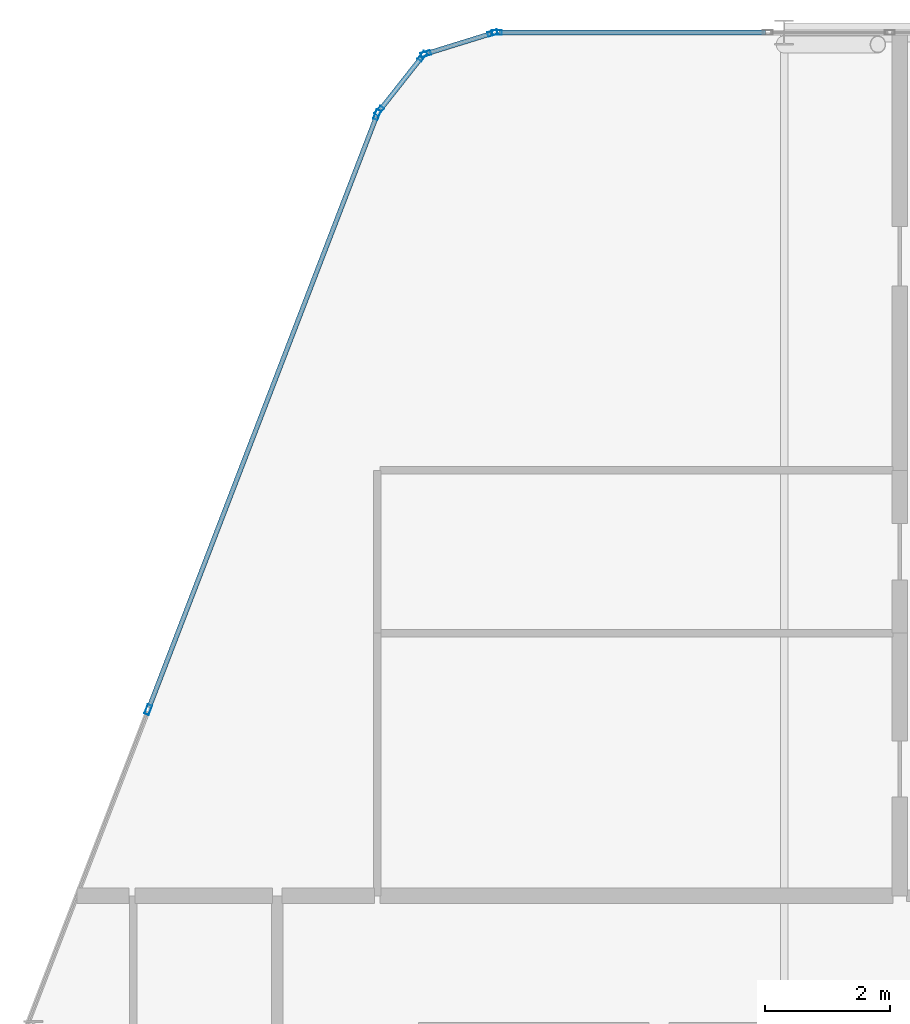
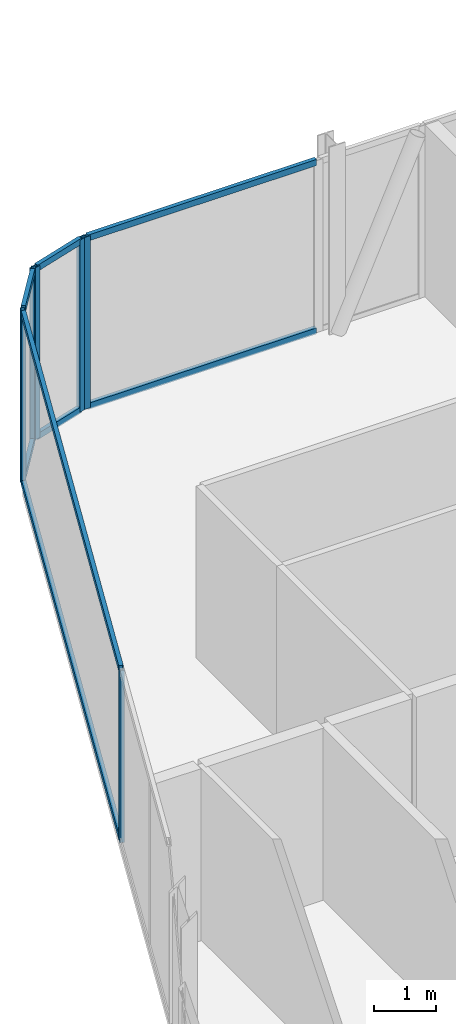
# One storey, part 15 of 27: 15 members, 4 elements without a shape of their own.
"""IFC4 building model written with IfcOpenShell, lengths in metres."""

from ifc_helpers import new_model, si_unit, direction, frame, origin, origin_2d, place, context, subcontext, project, spatial, hollow_rectangle, extrude, material, layer, layer_set, material_profile, profile_set, type_object, element, aggregate, save


model = new_model("IFC4")

# Units and contexts
model_context = context("Model", 3, precision=1e-05, world=origin(), true_north=direction((0.0, 1.0)))
body_context = subcontext(model_context, "Body", "Model", "MODEL_VIEW")
ifc_project = project(units=[si_unit("LENGTHUNIT", "METRE"), si_unit("AREAUNIT", "SQUARE_METRE"), si_unit("VOLUMEUNIT", "CUBIC_METRE"), si_unit("PLANEANGLEUNIT", "RADIAN"), si_unit("MASSUNIT", "GRAM", prefix="KILO")], contexts=[model_context])

# Site, building, storey
site_placement = place(None, origin())
site = spatial("IfcSite", under=ifc_project, at=site_placement, CompositionType="ELEMENT")
building_placement = place(site_placement, origin())
building = spatial("IfcBuilding", under=site, at=building_placement, Name="Keshet Zoharim Tower", CompositionType="ELEMENT")
storey_placement = place(building_placement, frame((0.0, 0.0, 247.300048828125)))
storey = spatial("IfcBuildingStorey", under=building, at=storey_placement, Name="L61", CompositionType="ELEMENT", Elevation=247.300048828125)

# Curtain wall, members
ifc_material = material(Name="Aluminium 6063-T6", Category="aluminium")
ifc_layer = layer(ifc_material, 0.260009765625)
ifc_layer_set = layer_set([ifc_layer], Name="Aluminium 6063-T6")
curtain_wall_type = type_object("IfcCurtainWallType", Name="CW-SYS-06", PredefinedType="NOTDEFINED", material=ifc_layer_set)
curtain_wall_1_placement = place(storey_placement, origin())
curtain_wall_1 = element("IfcCurtainWall", 1, at=curtain_wall_1_placement, inside=storey, type_object=curtain_wall_type, Name="L61 Unitised Curtain Wall 03", PredefinedType="NOTDEFINED")
ifc_material_profile_1 = material_profile(ifc_material, hollow_rectangle(XDim=0.074951171875, YDim=0.159912109375, WallThickness=0.00390625, at=origin_2d()), Name="MUL-75x160")
ifc_profile_set_1 = profile_set([ifc_material_profile_1], Name="Aluminium 6063-T6")
member_type_1 = type_object("IfcMemberType", Name="CWM-M15", PredefinedType="MULLION", material=ifc_profile_set_1)
member_1_placement = place(storey_placement, frame((10.8369140625, 43.076416015625, 0.0), z_axis=(0.0, 0.0, 1.0), x_axis=(-0.933341404361, 0.358990003907, 0.0)))
member_1 = element("IfcMember", 2, at=member_1_placement, type_object=member_type_1, Name="CW-06 mullion 3", PredefinedType="MULLION", context=body_context, shape_type="SweptSolid", body=[
    extrude(hollow_rectangle(XDim=0.074951171875, YDim=0.159912109375, WallThickness=0.00390625, at=origin_2d()), origin(), (0.0, 0.0, 1.0), 3.389892578125),
])
member_2_placement = place(storey_placement, frame((14.494384765625, 52.58544921875, 0.0), z_axis=(0.0, 0.0, 1.0), x_axis=(-0.933341404361, 0.358990003907, 0.0)))
member_2 = element("IfcMember", 3, at=member_2_placement, type_object=member_type_1, Name="CW-06 mullion 4", PredefinedType="MULLION", context=body_context, shape_type="SweptSolid", body=[
    extrude(hollow_rectangle(XDim=0.074951171875, YDim=0.159912109375, WallThickness=0.00390625, at=origin_2d()), origin(), (0.0, 0.0, 1.0), 3.389892578125),
])

curtain_wall_2_placement = place(storey_placement, origin())
curtain_wall_2 = element("IfcCurtainWall", 4, at=curtain_wall_2_placement, inside=storey, type_object=curtain_wall_type, Name="L61 Unitised Curtain Wall 04", PredefinedType="NOTDEFINED")
member_3_placement = place(storey_placement, frame((14.528564453125, 52.6455078125, 0.0), z_axis=(0.0, 0.0, 1.0), x_axis=(-0.785292825205, 0.619124525989, 0.0)))
member_3 = element("IfcMember", 5, at=member_3_placement, type_object=member_type_1, Name="CW-06 mullion 1", PredefinedType="MULLION", context=body_context, shape_type="SweptSolid", body=[
    extrude(hollow_rectangle(XDim=0.074951171875, YDim=0.159912109375, WallThickness=0.00390625, at=origin_2d()), origin(), (0.0, 0.0, 1.0), 3.389892578125),
])
member_4_placement = place(storey_placement, frame((15.21923828125, 53.521484375, 0.0), z_axis=(0.0, 0.0, 1.0), x_axis=(-0.785292825205, 0.619124525989, 0.0)))
member_4 = element("IfcMember", 6, at=member_4_placement, type_object=member_type_1, Name="CW-06 mullion 2", PredefinedType="MULLION", context=body_context, shape_type="SweptSolid", body=[
    extrude(hollow_rectangle(XDim=0.074951171875, YDim=0.159912109375, WallThickness=0.00390625, at=origin_2d()), origin(), (0.0, 0.0, 1.0), 3.389892578125),
])

curtain_wall_3_placement = place(storey_placement, origin())
curtain_wall_3 = element("IfcCurtainWall", 7, at=curtain_wall_3_placement, inside=storey, type_object=curtain_wall_type, Name="L61 Unitised Curtain Wall 05", PredefinedType="NOTDEFINED")
member_5_placement = place(storey_placement, frame((15.2744140625, 53.559326171875, 0.0), z_axis=(0.0, 0.0, 1.0), x_axis=(-0.295921857984, 0.955212151288, 0.0)))
member_5 = element("IfcMember", 8, at=member_5_placement, type_object=member_type_1, Name="CW-06 mullion 1", PredefinedType="MULLION", context=body_context, shape_type="SweptSolid", body=[
    extrude(hollow_rectangle(XDim=0.074951171875, YDim=0.159912109375, WallThickness=0.00390625, at=origin_2d()), origin(), (0.0, 0.0, 1.0), 3.389892578125),
])
member_6_placement = place(storey_placement, frame((16.340576171875, 53.8896484375, 0.0), z_axis=(0.0, 0.0, 1.0), x_axis=(-0.295921857984, 0.955212151288, 0.0)))
member_6 = element("IfcMember", 9, at=member_6_placement, type_object=member_type_1, Name="CW-06 mullion 2", PredefinedType="MULLION", context=body_context, shape_type="SweptSolid", body=[
    extrude(hollow_rectangle(XDim=0.074951171875, YDim=0.159912109375, WallThickness=0.00390625, at=origin_2d()), origin(), (0.0, 0.0, 1.0), 3.389892578125),
])

# Curtain wall, member
curtain_wall_4_placement = place(storey_placement, origin())
curtain_wall_4 = element("IfcCurtainWall", 10, at=curtain_wall_4_placement, inside=storey, type_object=curtain_wall_type, Name="L61 Unitised Curtain Wall 06", PredefinedType="NOTDEFINED")
member_7_placement = place(storey_placement, frame((16.408935546875, 53.89990234375, 0.0), z_axis=(0.0, 0.0, 1.0), x_axis=(0.0, 1.0, 0.0)))
member_7 = element("IfcMember", 11, at=member_7_placement, type_object=member_type_1, Name="CW-06 mullion 1", PredefinedType="MULLION", context=body_context, shape_type="SweptSolid", body=[
    extrude(hollow_rectangle(XDim=0.074951171875, YDim=0.159912109375, WallThickness=0.00390625, at=origin_2d()), origin(), (0.0, 0.0, 1.0), 3.389892578125),
])

# Member
ifc_material_profile_2 = material_profile(ifc_material, hollow_rectangle(XDim=0.074951171875, YDim=0.1201171875, WallThickness=0.00390625, at=origin_2d()), Name="TRN-75x120")
ifc_profile_set_2 = profile_set([ifc_material_profile_2], Name="Aluminium 6063-T6")
member_type_2 = type_object("IfcMemberType", Name="CWT-T12", PredefinedType="USERDEFINED", material=ifc_profile_set_2)
member_8_placement = place(storey_placement, frame((10.849609375, 43.10888671875, 0.034912109375), z_axis=(0.358985546764, 0.933343118694, 0.0), x_axis=(-0.933343118694, 0.358985546764, 0.0)))
member_8 = element("IfcMember", 12, at=member_8_placement, type_object=member_type_2, Name="CW-06 transom 3.1", ObjectType="TRANSOM", PredefinedType="USERDEFINED", context=body_context, shape_type="SweptSolid", body=[
    extrude(hollow_rectangle(XDim=0.074951171875, YDim=0.1201171875, WallThickness=0.00390625, at=origin_2d()), origin(), (0.0, 0.0, 1.0), 10.118408203125),
])

member_9_placement = place(storey_placement, frame((10.849609375, 43.10888671875, 3.35498046875), z_axis=(0.358985546764, 0.933343118694, 0.0), x_axis=(-0.933343118694, 0.358985546764, 0.0)))
member_9 = element("IfcMember", 13, at=member_9_placement, type_object=member_type_2, Name="CW-06 transom 3.2", ObjectType="TRANSOM", PredefinedType="USERDEFINED", context=body_context, shape_type="SweptSolid", body=[
    extrude(hollow_rectangle(XDim=0.074951171875, YDim=0.1201171875, WallThickness=0.00390625, at=origin_2d()), origin(), (0.0, 0.0, 1.0), 10.118408203125),
])

aggregate(curtain_wall_1, [member_1, member_2, member_8, member_9])

member_10_placement = place(storey_placement, frame((14.55029296875, 52.6728515625, 0.034912109375), z_axis=(0.619099165969, 0.78531281837, 0.0), x_axis=(-0.78531281837, 0.619099165969, 0.0)))
member_10 = element("IfcMember", 14, at=member_10_placement, type_object=member_type_2, Name="CW-06 transom 1.1", ObjectType="TRANSOM", PredefinedType="USERDEFINED", context=body_context, shape_type="SweptSolid", body=[
    extrude(hollow_rectangle(XDim=0.074951171875, YDim=0.1201171875, WallThickness=0.00390625, at=origin_2d()), origin(), (0.0, 0.0, 1.0), 1.0458984375),
])

member_11_placement = place(storey_placement, frame((14.55029296875, 52.6728515625, 3.35498046875), z_axis=(0.619099165969, 0.78531281837, 0.0), x_axis=(-0.78531281837, 0.619099165969, 0.0)))
member_11 = element("IfcMember", 15, at=member_11_placement, type_object=member_type_2, Name="CW-06 transom 1.2", ObjectType="TRANSOM", PredefinedType="USERDEFINED", context=body_context, shape_type="SweptSolid", body=[
    extrude(hollow_rectangle(XDim=0.074951171875, YDim=0.1201171875, WallThickness=0.00390625, at=origin_2d()), origin(), (0.0, 0.0, 1.0), 1.0458984375),
])

aggregate(curtain_wall_2, [member_3, member_4, member_10, member_11])

member_12_placement = place(storey_placement, frame((15.307861328125, 53.56982421875, 0.034912109375), z_axis=(0.955212093062, 0.295922045933, 0.0), x_axis=(-0.295922045933, 0.955212093062, 0.0)))
member_12 = element("IfcMember", 16, at=member_12_placement, type_object=member_type_2, Name="CW-06 transom 1.1", ObjectType="TRANSOM", PredefinedType="USERDEFINED", context=body_context, shape_type="SweptSolid", body=[
    extrude(hollow_rectangle(XDim=0.074951171875, YDim=0.1201171875, WallThickness=0.00390625, at=origin_2d()), origin(), (0.0, 0.0, 1.0), 1.046142578125),
])

member_13_placement = place(storey_placement, frame((15.307861328125, 53.56982421875, 3.35498046875), z_axis=(0.955212093062, 0.295922045933, 0.0), x_axis=(-0.295922045933, 0.955212093062, 0.0)))
member_13 = element("IfcMember", 17, at=member_13_placement, type_object=member_type_2, Name="CW-06 transom 1.2", ObjectType="TRANSOM", PredefinedType="USERDEFINED", context=body_context, shape_type="SweptSolid", body=[
    extrude(hollow_rectangle(XDim=0.074951171875, YDim=0.1201171875, WallThickness=0.00390625, at=origin_2d()), origin(), (0.0, 0.0, 1.0), 1.046142578125),
])

aggregate(curtain_wall_3, [member_5, member_6, member_12, member_13])

member_14_placement = place(storey_placement, frame((16.444091796875, 53.89990234375, 0.034912109375), z_axis=(1.0, 0.0, 0.0), x_axis=(0.0, 1.0, 0.0)))
member_14 = element("IfcMember", 18, at=member_14_placement, type_object=member_type_2, Name="CW-06 transom 1.1", ObjectType="TRANSOM", PredefinedType="USERDEFINED", context=body_context, shape_type="SweptSolid", body=[
    extrude(hollow_rectangle(XDim=0.074951171875, YDim=0.1201171875, WallThickness=0.00390625, at=origin_2d()), origin(), (0.0, 0.0, 1.0), 4.260986328125),
])

member_15_placement = place(storey_placement, frame((16.444091796875, 53.89990234375, 3.35498046875), z_axis=(1.0, 0.0, 0.0), x_axis=(0.0, 1.0, 0.0)))
member_15 = element("IfcMember", 19, at=member_15_placement, type_object=member_type_2, Name="CW-06 transom 1.2", ObjectType="TRANSOM", PredefinedType="USERDEFINED", context=body_context, shape_type="SweptSolid", body=[
    extrude(hollow_rectangle(XDim=0.074951171875, YDim=0.1201171875, WallThickness=0.00390625, at=origin_2d()), origin(), (0.0, 0.0, 1.0), 4.260986328125),
])

aggregate(curtain_wall_4, [member_7, member_14, member_15])

save(model, "model.ifc")
